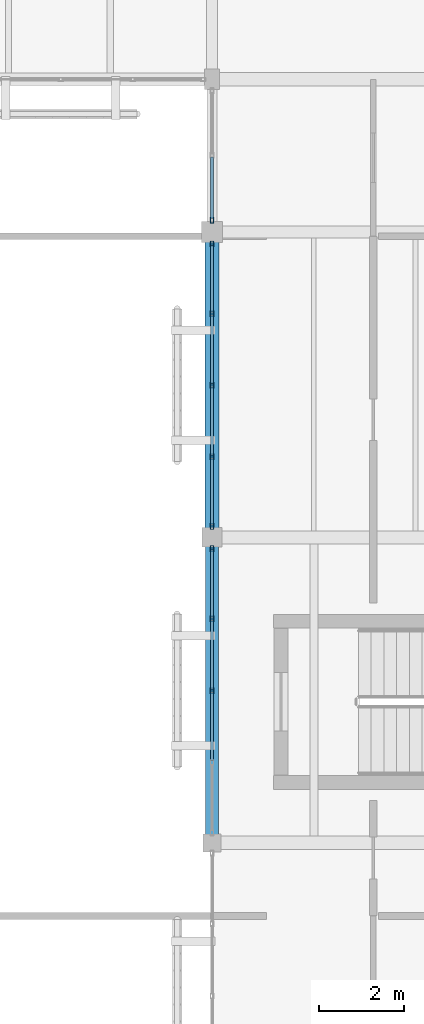
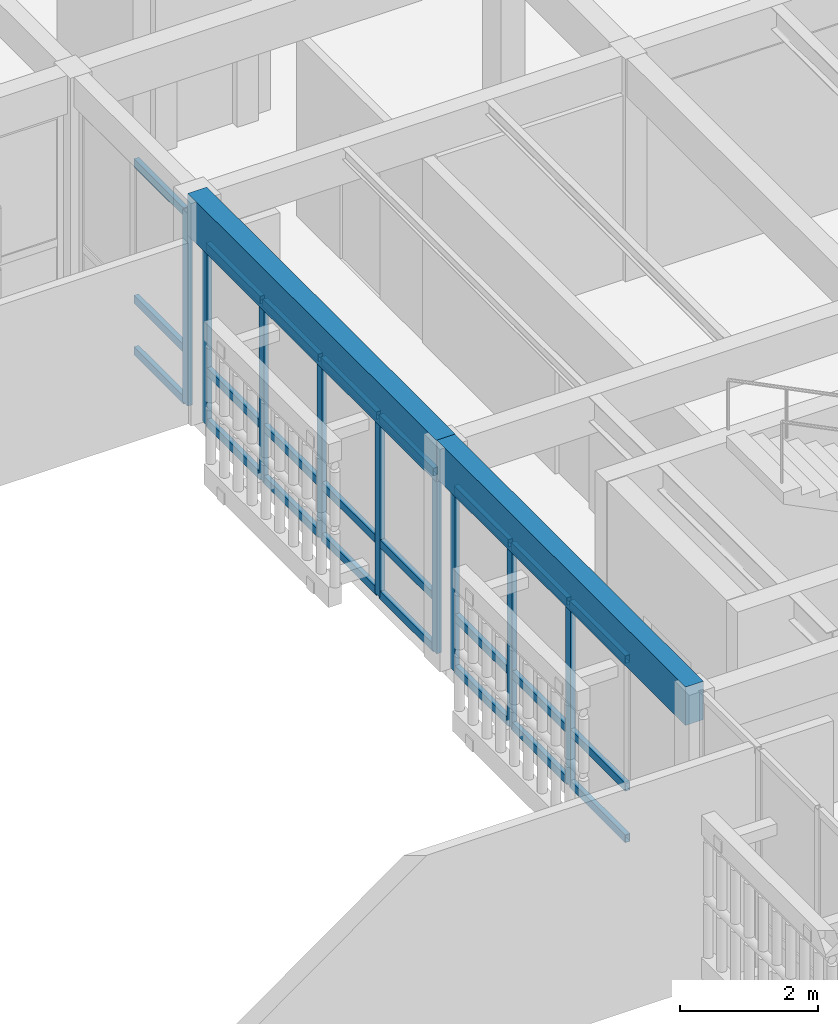
# One storey, part 60 of 112: 33 members, 2 beams, 3 elements without a shape of their own.
"""IFC4 building model written with IfcOpenShell, lengths in metres."""

from ifc_helpers import new_model, si_unit, direction, frame, origin, origin_2d, place, context, subcontext, project, spatial, rectangle, hollow_rectangle, extrude, material, layer, layer_set, material_profile, profile_set, type_object, element, aggregate, save


model = new_model("IFC4")

# Units and contexts
model_context = context("Model", 3, precision=1e-05, world=origin(), true_north=direction((0.0, 1.0)))
body_context = subcontext(model_context, "Body", "Model", "MODEL_VIEW")
ifc_project = project(units=[si_unit("LENGTHUNIT", "METRE"), si_unit("AREAUNIT", "SQUARE_METRE"), si_unit("VOLUMEUNIT", "CUBIC_METRE"), si_unit("PLANEANGLEUNIT", "RADIAN"), si_unit("MASSUNIT", "GRAM", prefix="KILO")], contexts=[model_context])

# Site, building, storey
site_placement = place(None, origin())
site = spatial("IfcSite", under=ifc_project, at=site_placement, CompositionType="ELEMENT")
building_placement = place(site_placement, origin())
building = spatial("IfcBuilding", under=site, at=building_placement, Name="Mazaris Harbour Polytechnic", CompositionType="ELEMENT")
storey_placement = place(building_placement, frame((0.0, 0.0, 13.800048828125)))
storey = spatial("IfcBuildingStorey", under=building, at=storey_placement, Name="L03", CompositionType="ELEMENT", Elevation=13.800048828125)

# Curtain wall, members
ifc_material_1 = material(Name="Anodised Bronze Aluminium and Low-E Glass", Category="aluminium")
ifc_layer = layer(ifc_material_1, 0.169921875, Name="Anodised Bronze Aluminium and Low-E Glass")
ifc_layer_set = layer_set([ifc_layer], Name="Anodised Bronze Aluminium and Low-E Glass")
curtain_wall_type = type_object("IfcCurtainWallType", Name="Studio North-Light Curtain Wall", PredefinedType="NOTDEFINED", material=ifc_layer_set)
curtain_wall_1_placement = place(storey_placement, origin())
curtain_wall_1 = element("IfcCurtainWall", 1, at=curtain_wall_1_placement, inside=storey, type_object=curtain_wall_type, Name="V5 L03 Curtain Wall 268", PredefinedType="NOTDEFINED")
ifc_material_2 = material(Name="Anodised Bronze Steel S355", Category="steel")
ifc_material_profile_1 = material_profile(ifc_material_2, hollow_rectangle(XDim=0.080078125, YDim=0.139892578125, WallThickness=0.00634765625, at=origin_2d()), Name="RHS 80x140x6.3")
ifc_profile_set_1 = profile_set([ifc_material_profile_1], Name="Anodised Bronze Steel S355")
member_type_1 = type_object("IfcMemberType", Name="Curtain Mullion RHS80x140", PredefinedType="MULLION", material=ifc_profile_set_1)
member_1_placement = place(storey_placement, frame((158.39990234375, 75.337890625, 0.0), z_axis=(0.0, 0.0, 1.0), x_axis=(1.0, 0.0, 0.0)))
member_1 = element("IfcMember", 2, at=member_1_placement, type_object=member_type_1, Name="CW-03 mullion 1", PredefinedType="MULLION", context=body_context, shape_type="SweptSolid", body=[
    extrude(hollow_rectangle(XDim=0.080078125, YDim=0.139892578125, WallThickness=0.00634765625, at=origin_2d()), origin(), (0.0, 0.0, 1.0), 3.244873046875),
])
member_2_placement = place(storey_placement, frame((158.39990234375, 73.68408203125, 0.0), z_axis=(0.0, 0.0, 1.0), x_axis=(1.0, 0.0, 0.0)))
member_2 = element("IfcMember", 3, at=member_2_placement, type_object=member_type_1, Name="CW-03 mullion 2", PredefinedType="MULLION", context=body_context, shape_type="SweptSolid", body=[
    extrude(hollow_rectangle(XDim=0.080078125, YDim=0.139892578125, WallThickness=0.00634765625, at=origin_2d()), origin(), (0.0, 0.0, 1.0), 3.244873046875),
])
member_3_placement = place(storey_placement, frame((158.39990234375, 71.989990234375, 0.0), z_axis=(0.0, 0.0, 1.0), x_axis=(1.0, 0.0, 0.0)))
member_3 = element("IfcMember", 4, at=member_3_placement, type_object=member_type_1, Name="CW-03 mullion 3", PredefinedType="MULLION", context=body_context, shape_type="SweptSolid", body=[
    extrude(hollow_rectangle(XDim=0.080078125, YDim=0.139892578125, WallThickness=0.00634765625, at=origin_2d()), origin(), (0.0, 0.0, 1.0), 3.244873046875),
])

curtain_wall_2_placement = place(storey_placement, origin())
curtain_wall_2 = element("IfcCurtainWall", 5, at=curtain_wall_2_placement, inside=storey, type_object=curtain_wall_type, Name="V5 L03 Curtain Wall 269", PredefinedType="NOTDEFINED")
member_4_placement = place(storey_placement, frame((158.39990234375, 82.51806640625, 0.0), z_axis=(0.0, 0.0, 1.0), x_axis=(1.0, 0.0, 0.0)))
member_4 = element("IfcMember", 6, at=member_4_placement, type_object=member_type_1, Name="CW-03 mullion 1", PredefinedType="MULLION", context=body_context, shape_type="SweptSolid", body=[
    extrude(hollow_rectangle(XDim=0.080078125, YDim=0.139892578125, WallThickness=0.00634765625, at=origin_2d()), origin(), (0.0, 0.0, 1.0), 3.18505859375),
])
member_5_placement = place(storey_placement, frame((158.39990234375, 80.8740234375, 0.0), z_axis=(0.0, 0.0, 1.0), x_axis=(1.0, 0.0, 0.0)))
member_5 = element("IfcMember", 7, at=member_5_placement, type_object=member_type_1, Name="CW-03 mullion 2", PredefinedType="MULLION", context=body_context, shape_type="SweptSolid", body=[
    extrude(hollow_rectangle(XDim=0.080078125, YDim=0.139892578125, WallThickness=0.00634765625, at=origin_2d()), origin(), (0.0, 0.0, 1.0), 3.18505859375),
])
member_6_placement = place(storey_placement, frame((158.39990234375, 79.18994140625, 0.0), z_axis=(0.0, 0.0, 1.0), x_axis=(1.0, 0.0, 0.0)))
member_6 = element("IfcMember", 8, at=member_6_placement, type_object=member_type_1, Name="CW-03 mullion 3", PredefinedType="MULLION", context=body_context, shape_type="SweptSolid", body=[
    extrude(hollow_rectangle(XDim=0.080078125, YDim=0.139892578125, WallThickness=0.00634765625, at=origin_2d()), origin(), (0.0, 0.0, 1.0), 3.18505859375),
])
member_7_placement = place(storey_placement, frame((158.39990234375, 77.506103515625, 0.0), z_axis=(0.0, 0.0, 1.0), x_axis=(1.0, 0.0, 0.0)))
member_7 = element("IfcMember", 9, at=member_7_placement, type_object=member_type_1, Name="CW-03 mullion 4", PredefinedType="MULLION", context=body_context, shape_type="SweptSolid", body=[
    extrude(hollow_rectangle(XDim=0.080078125, YDim=0.139892578125, WallThickness=0.00634765625, at=origin_2d()), origin(), (0.0, 0.0, 1.0), 3.18505859375),
])
member_8_placement = place(storey_placement, frame((158.39990234375, 75.862060546875, 0.0), z_axis=(0.0, 0.0, 1.0), x_axis=(1.0, 0.0, 0.0)))
member_8 = element("IfcMember", 10, at=member_8_placement, type_object=member_type_1, Name="CW-03 mullion 5", PredefinedType="MULLION", context=body_context, shape_type="SweptSolid", body=[
    extrude(hollow_rectangle(XDim=0.080078125, YDim=0.139892578125, WallThickness=0.00634765625, at=origin_2d()), origin(), (0.0, 0.0, 1.0), 3.18505859375),
])

# Curtain wall, member
curtain_wall_3_placement = place(storey_placement, origin())
curtain_wall_3 = element("IfcCurtainWall", 11, at=curtain_wall_3_placement, inside=storey, type_object=curtain_wall_type, Name="V5 L03 Curtain Wall 270", PredefinedType="NOTDEFINED")
member_9_placement = place(storey_placement, frame((158.39990234375, 83.08203125, 0.0), z_axis=(0.0, 0.0, 1.0), x_axis=(1.0, 0.0, 0.0)))
member_9 = element("IfcMember", 12, at=member_9_placement, type_object=member_type_1, Name="CW-03 mullion 3", PredefinedType="MULLION", context=body_context, shape_type="SweptSolid", body=[
    extrude(hollow_rectangle(XDim=0.080078125, YDim=0.139892578125, WallThickness=0.00634765625, at=origin_2d()), origin(), (0.0, 0.0, 1.0), 3.405029296875),
])

# Member
ifc_material_3 = material(Name="Anodised Bronze Steel S355", Category="steel")
ifc_material_profile_2 = material_profile(ifc_material_3, hollow_rectangle(XDim=0.080078125, YDim=0.139892578125, WallThickness=0.00634765625, at=origin_2d()), Name="RHS 80x140x6.3")
ifc_profile_set_2 = profile_set([ifc_material_profile_2], Name="Anodised Bronze Steel S355")
member_type_2 = type_object("IfcMemberType", Name="Curtain Transom RHS80x140", PredefinedType="USERDEFINED", material=ifc_profile_set_2)
member_10_placement = place(storey_placement, frame((158.39990234375, 75.298095703125, 0.0400390625), z_axis=(0.0, -1.0, 0.0), x_axis=(1.0, 0.0, 0.0)))
member_10 = element("IfcMember", 13, at=member_10_placement, type_object=member_type_2, Name="CW-03 transom 1.1", ObjectType="TRANSOM", PredefinedType="USERDEFINED", context=body_context, shape_type="SweptSolid", body=[
    extrude(hollow_rectangle(XDim=0.080078125, YDim=0.139892578125, WallThickness=0.00634765625, at=origin_2d()), origin(), (0.0, 0.0, 1.0), 1.573974609375),
])

member_11_placement = place(storey_placement, frame((158.39990234375, 75.298095703125, 0.949951171875), z_axis=(0.0, -1.0, 0.0), x_axis=(1.0, 0.0, 0.0)))
member_11 = element("IfcMember", 14, at=member_11_placement, type_object=member_type_2, Name="CW-03 transom 1.2", ObjectType="TRANSOM", PredefinedType="USERDEFINED", context=body_context, shape_type="SweptSolid", body=[
    extrude(hollow_rectangle(XDim=0.080078125, YDim=0.139892578125, WallThickness=0.00634765625, at=origin_2d()), origin(), (0.0, 0.0, 1.0), 1.573974609375),
])

member_12_placement = place(storey_placement, frame((158.39990234375, 75.298095703125, 3.204833984375), z_axis=(0.0, -1.0, 0.0), x_axis=(1.0, 0.0, 0.0)))
member_12 = element("IfcMember", 15, at=member_12_placement, type_object=member_type_2, Name="CW-03 transom 1.3", ObjectType="TRANSOM", PredefinedType="USERDEFINED", context=body_context, shape_type="SweptSolid", body=[
    extrude(hollow_rectangle(XDim=0.080078125, YDim=0.139892578125, WallThickness=0.00634765625, at=origin_2d()), origin(), (0.0, 0.0, 1.0), 1.573974609375),
])

member_13_placement = place(storey_placement, frame((158.39990234375, 73.64404296875, 0.0400390625), z_axis=(0.0, -1.0, 0.0), x_axis=(1.0, 0.0, 0.0)))
member_13 = element("IfcMember", 16, at=member_13_placement, type_object=member_type_2, Name="CW-03 transom 2.1", ObjectType="TRANSOM", PredefinedType="USERDEFINED", context=body_context, shape_type="SweptSolid", body=[
    extrude(hollow_rectangle(XDim=0.080078125, YDim=0.139892578125, WallThickness=0.00634765625, at=origin_2d()), origin(), (0.0, 0.0, 1.0), 1.614013671875),
])

member_14_placement = place(storey_placement, frame((158.39990234375, 73.64404296875, 0.949951171875), z_axis=(0.0, -1.0, 0.0), x_axis=(1.0, 0.0, 0.0)))
member_14 = element("IfcMember", 17, at=member_14_placement, type_object=member_type_2, Name="CW-03 transom 2.2", ObjectType="TRANSOM", PredefinedType="USERDEFINED", context=body_context, shape_type="SweptSolid", body=[
    extrude(hollow_rectangle(XDim=0.080078125, YDim=0.139892578125, WallThickness=0.00634765625, at=origin_2d()), origin(), (0.0, 0.0, 1.0), 1.614013671875),
])

member_15_placement = place(storey_placement, frame((158.39990234375, 73.64404296875, 3.204833984375), z_axis=(0.0, -1.0, 0.0), x_axis=(1.0, 0.0, 0.0)))
member_15 = element("IfcMember", 18, at=member_15_placement, type_object=member_type_2, Name="CW-03 transom 2.3", ObjectType="TRANSOM", PredefinedType="USERDEFINED", context=body_context, shape_type="SweptSolid", body=[
    extrude(hollow_rectangle(XDim=0.080078125, YDim=0.139892578125, WallThickness=0.00634765625, at=origin_2d()), origin(), (0.0, 0.0, 1.0), 1.614013671875),
])

member_16_placement = place(storey_placement, frame((158.39990234375, 71.949951171875, 0.0400390625), z_axis=(0.0, -1.0, 0.0), x_axis=(1.0, 0.0, 0.0)))
member_16 = element("IfcMember", 19, at=member_16_placement, type_object=member_type_2, Name="CW-03 transom 3.1", ObjectType="TRANSOM", PredefinedType="USERDEFINED", context=body_context, shape_type="SweptSolid", body=[
    extrude(hollow_rectangle(XDim=0.080078125, YDim=0.139892578125, WallThickness=0.00634765625, at=origin_2d()), origin(), (0.0, 0.0, 1.0), 1.614013671875),
])

member_17_placement = place(storey_placement, frame((158.39990234375, 71.949951171875, 0.949951171875), z_axis=(0.0, -1.0, 0.0), x_axis=(1.0, 0.0, 0.0)))
member_17 = element("IfcMember", 20, at=member_17_placement, type_object=member_type_2, Name="CW-03 transom 3.2", ObjectType="TRANSOM", PredefinedType="USERDEFINED", context=body_context, shape_type="SweptSolid", body=[
    extrude(hollow_rectangle(XDim=0.080078125, YDim=0.139892578125, WallThickness=0.00634765625, at=origin_2d()), origin(), (0.0, 0.0, 1.0), 1.614013671875),
])

member_18_placement = place(storey_placement, frame((158.39990234375, 71.949951171875, 3.204833984375), z_axis=(0.0, -1.0, 0.0), x_axis=(1.0, 0.0, 0.0)))
member_18 = element("IfcMember", 21, at=member_18_placement, type_object=member_type_2, Name="CW-03 transom 3.3", ObjectType="TRANSOM", PredefinedType="USERDEFINED", context=body_context, shape_type="SweptSolid", body=[
    extrude(hollow_rectangle(XDim=0.080078125, YDim=0.139892578125, WallThickness=0.00634765625, at=origin_2d()), origin(), (0.0, 0.0, 1.0), 1.614013671875),
])

aggregate(curtain_wall_1, [member_1, member_2, member_3, member_10, member_11, member_12, member_13, member_14, member_15, member_16, member_17, member_18])

member_19_placement = place(storey_placement, frame((158.39990234375, 82.47802734375, 0.0400390625), z_axis=(0.0, -1.0, 0.0), x_axis=(1.0, 0.0, 0.0)))
member_19 = element("IfcMember", 22, at=member_19_placement, type_object=member_type_2, Name="CW-03 transom 1.1", ObjectType="TRANSOM", PredefinedType="USERDEFINED", context=body_context, shape_type="SweptSolid", body=[
    extrude(hollow_rectangle(XDim=0.080078125, YDim=0.139892578125, WallThickness=0.00634765625, at=origin_2d()), origin(), (0.0, 0.0, 1.0), 1.56396484375),
])

member_20_placement = place(storey_placement, frame((158.39990234375, 82.47802734375, 0.949951171875), z_axis=(0.0, -1.0, 0.0), x_axis=(1.0, 0.0, 0.0)))
member_20 = element("IfcMember", 23, at=member_20_placement, type_object=member_type_2, Name="CW-03 transom 1.2", ObjectType="TRANSOM", PredefinedType="USERDEFINED", context=body_context, shape_type="SweptSolid", body=[
    extrude(hollow_rectangle(XDim=0.080078125, YDim=0.139892578125, WallThickness=0.00634765625, at=origin_2d()), origin(), (0.0, 0.0, 1.0), 1.56396484375),
])

member_21_placement = place(storey_placement, frame((158.39990234375, 82.47802734375, 3.14501953125), z_axis=(0.0, -1.0, 0.0), x_axis=(1.0, 0.0, 0.0)))
member_21 = element("IfcMember", 24, at=member_21_placement, type_object=member_type_2, Name="CW-03 transom 1.3", ObjectType="TRANSOM", PredefinedType="USERDEFINED", context=body_context, shape_type="SweptSolid", body=[
    extrude(hollow_rectangle(XDim=0.080078125, YDim=0.139892578125, WallThickness=0.00634765625, at=origin_2d()), origin(), (0.0, 0.0, 1.0), 1.56396484375),
])

member_22_placement = place(storey_placement, frame((158.39990234375, 80.833984375, 0.0400390625), z_axis=(0.0, -1.0, 0.0), x_axis=(1.0, 0.0, 0.0)))
member_22 = element("IfcMember", 25, at=member_22_placement, type_object=member_type_2, Name="CW-03 transom 2.1", ObjectType="TRANSOM", PredefinedType="USERDEFINED", context=body_context, shape_type="SweptSolid", body=[
    extrude(hollow_rectangle(XDim=0.080078125, YDim=0.139892578125, WallThickness=0.00634765625, at=origin_2d()), origin(), (0.0, 0.0, 1.0), 1.60400390625),
])

member_23_placement = place(storey_placement, frame((158.39990234375, 80.833984375, 0.949951171875), z_axis=(0.0, -1.0, 0.0), x_axis=(1.0, 0.0, 0.0)))
member_23 = element("IfcMember", 26, at=member_23_placement, type_object=member_type_2, Name="CW-03 transom 2.2", ObjectType="TRANSOM", PredefinedType="USERDEFINED", context=body_context, shape_type="SweptSolid", body=[
    extrude(hollow_rectangle(XDim=0.080078125, YDim=0.139892578125, WallThickness=0.00634765625, at=origin_2d()), origin(), (0.0, 0.0, 1.0), 1.60400390625),
])

member_24_placement = place(storey_placement, frame((158.39990234375, 80.833984375, 3.14501953125), z_axis=(0.0, -1.0, 0.0), x_axis=(1.0, 0.0, 0.0)))
member_24 = element("IfcMember", 27, at=member_24_placement, type_object=member_type_2, Name="CW-03 transom 2.3", ObjectType="TRANSOM", PredefinedType="USERDEFINED", context=body_context, shape_type="SweptSolid", body=[
    extrude(hollow_rectangle(XDim=0.080078125, YDim=0.139892578125, WallThickness=0.00634765625, at=origin_2d()), origin(), (0.0, 0.0, 1.0), 1.60400390625),
])

member_25_placement = place(storey_placement, frame((158.39990234375, 79.14990234375, 0.0400390625), z_axis=(0.0, -1.0, 0.0), x_axis=(1.0, 0.0, 0.0)))
member_25 = element("IfcMember", 28, at=member_25_placement, type_object=member_type_2, Name="CW-03 transom 3.1", ObjectType="TRANSOM", PredefinedType="USERDEFINED", context=body_context, shape_type="SweptSolid", body=[
    extrude(hollow_rectangle(XDim=0.080078125, YDim=0.139892578125, WallThickness=0.00634765625, at=origin_2d()), origin(), (0.0, 0.0, 1.0), 1.60400390625),
])

member_26_placement = place(storey_placement, frame((158.39990234375, 79.14990234375, 0.949951171875), z_axis=(0.0, -1.0, 0.0), x_axis=(1.0, 0.0, 0.0)))
member_26 = element("IfcMember", 29, at=member_26_placement, type_object=member_type_2, Name="CW-03 transom 3.2", ObjectType="TRANSOM", PredefinedType="USERDEFINED", context=body_context, shape_type="SweptSolid", body=[
    extrude(hollow_rectangle(XDim=0.080078125, YDim=0.139892578125, WallThickness=0.00634765625, at=origin_2d()), origin(), (0.0, 0.0, 1.0), 1.60400390625),
])

member_27_placement = place(storey_placement, frame((158.39990234375, 79.14990234375, 3.14501953125), z_axis=(0.0, -1.0, 0.0), x_axis=(1.0, 0.0, 0.0)))
member_27 = element("IfcMember", 30, at=member_27_placement, type_object=member_type_2, Name="CW-03 transom 3.3", ObjectType="TRANSOM", PredefinedType="USERDEFINED", context=body_context, shape_type="SweptSolid", body=[
    extrude(hollow_rectangle(XDim=0.080078125, YDim=0.139892578125, WallThickness=0.00634765625, at=origin_2d()), origin(), (0.0, 0.0, 1.0), 1.60400390625),
])

member_28_placement = place(storey_placement, frame((158.39990234375, 77.466064453125, 0.0400390625), z_axis=(0.0, -1.0, 0.0), x_axis=(1.0, 0.0, 0.0)))
member_28 = element("IfcMember", 31, at=member_28_placement, type_object=member_type_2, Name="CW-03 transom 4.1", ObjectType="TRANSOM", PredefinedType="USERDEFINED", context=body_context, shape_type="SweptSolid", body=[
    extrude(hollow_rectangle(XDim=0.080078125, YDim=0.139892578125, WallThickness=0.00634765625, at=origin_2d()), origin(), (0.0, 0.0, 1.0), 1.56396484375),
])

member_29_placement = place(storey_placement, frame((158.39990234375, 77.466064453125, 0.949951171875), z_axis=(0.0, -1.0, 0.0), x_axis=(1.0, 0.0, 0.0)))
member_29 = element("IfcMember", 32, at=member_29_placement, type_object=member_type_2, Name="CW-03 transom 4.2", ObjectType="TRANSOM", PredefinedType="USERDEFINED", context=body_context, shape_type="SweptSolid", body=[
    extrude(hollow_rectangle(XDim=0.080078125, YDim=0.139892578125, WallThickness=0.00634765625, at=origin_2d()), origin(), (0.0, 0.0, 1.0), 1.56396484375),
])

member_30_placement = place(storey_placement, frame((158.39990234375, 77.466064453125, 3.14501953125), z_axis=(0.0, -1.0, 0.0), x_axis=(1.0, 0.0, 0.0)))
member_30 = element("IfcMember", 33, at=member_30_placement, type_object=member_type_2, Name="CW-03 transom 4.3", ObjectType="TRANSOM", PredefinedType="USERDEFINED", context=body_context, shape_type="SweptSolid", body=[
    extrude(hollow_rectangle(XDim=0.080078125, YDim=0.139892578125, WallThickness=0.00634765625, at=origin_2d()), origin(), (0.0, 0.0, 1.0), 1.56396484375),
])

aggregate(curtain_wall_2, [member_4, member_5, member_6, member_7, member_8, member_19, member_20, member_21, member_22, member_23, member_24, member_25, member_26, member_27, member_28, member_29, member_30])

member_31_placement = place(storey_placement, frame((158.39990234375, 84.56494140625, 0.0400390625), z_axis=(0.0, -1.0, 0.0), x_axis=(1.0, 0.0, 0.0)))
member_31 = element("IfcMember", 34, at=member_31_placement, type_object=member_type_2, Name="CW-03 transom 2.1", ObjectType="TRANSOM", PredefinedType="USERDEFINED", context=body_context, shape_type="SweptSolid", body=[
    extrude(hollow_rectangle(XDim=0.080078125, YDim=0.139892578125, WallThickness=0.00634765625, at=origin_2d()), origin(), (0.0, 0.0, 1.0), 1.44287109375),
])

member_32_placement = place(storey_placement, frame((158.39990234375, 84.56494140625, 0.949951171875), z_axis=(0.0, -1.0, 0.0), x_axis=(1.0, 0.0, 0.0)))
member_32 = element("IfcMember", 35, at=member_32_placement, type_object=member_type_2, Name="CW-03 transom 2.2", ObjectType="TRANSOM", PredefinedType="USERDEFINED", context=body_context, shape_type="SweptSolid", body=[
    extrude(hollow_rectangle(XDim=0.080078125, YDim=0.139892578125, WallThickness=0.00634765625, at=origin_2d()), origin(), (0.0, 0.0, 1.0), 1.44287109375),
])

member_33_placement = place(storey_placement, frame((158.39990234375, 84.56494140625, 3.364990234375), z_axis=(0.0, -1.0, 0.0), x_axis=(1.0, 0.0, 0.0)))
member_33 = element("IfcMember", 36, at=member_33_placement, type_object=member_type_2, Name="CW-03 transom 2.3", ObjectType="TRANSOM", PredefinedType="USERDEFINED", context=body_context, shape_type="SweptSolid", body=[
    extrude(hollow_rectangle(XDim=0.080078125, YDim=0.139892578125, WallThickness=0.00634765625, at=origin_2d()), origin(), (0.0, 0.0, 1.0), 1.44287109375),
])

aggregate(curtain_wall_3, [member_9, member_31, member_32, member_33])

# Beams
ifc_material_4 = material(Name="Glulam GL32h", Category="wood")
ifc_material_profile_3 = material_profile(ifc_material_4, rectangle(XDim=0.300048828125, YDim=0.679931640625, at=origin_2d()), Name="RECT300x680")
ifc_profile_set_3 = profile_set([ifc_material_profile_3], Name="Glulam GL32h")
beam_type_1 = type_object("IfcBeamType", Name="Glulam Girder 300x680", PredefinedType="BEAM", material=ifc_profile_set_3)
beam_1_placement = place(storey_placement, frame((158.39990234375, 68.39990234375, 3.594970703125), z_axis=(0.0, 1.0, 0.0), x_axis=(-1.0, 0.0, 0.0)))
element("IfcBeam", 37, at=beam_1_placement, inside=storey, type_object=beam_type_1, Name="V5 L03 Tie Girder 3348", PredefinedType="BEAM", context=body_context, shape_type="SweptSolid", body=[
    extrude(rectangle(XDim=0.300048828125, YDim=0.679931640625, at=origin_2d()), origin(), (0.0, 0.0, 1.0), 7.2001953125),
])
ifc_material_5 = material(Name="Glulam GL32h", Category="wood")
ifc_material_profile_4 = material_profile(ifc_material_5, rectangle(XDim=0.320068359375, YDim=0.739990234375, at=origin_2d()), Name="RECT320x740")
ifc_profile_set_4 = profile_set([ifc_material_profile_4], Name="Glulam GL32h")
beam_type_2 = type_object("IfcBeamType", Name="Glulam Girder 320x740", PredefinedType="BEAM", material=ifc_profile_set_4)
beam_2_placement = place(storey_placement, frame((158.39990234375, 75.60009765625, 3.56494140625), z_axis=(0.0, 1.0, 0.0), x_axis=(-1.0, 0.0, 0.0)))
element("IfcBeam", 38, at=beam_2_placement, inside=storey, type_object=beam_type_2, Name="V5 L03 Tie Girder 3349", PredefinedType="BEAM", context=body_context, shape_type="SweptSolid", body=[
    extrude(rectangle(XDim=0.320068359375, YDim=0.739990234375, at=origin_2d()), origin(), (0.0, 0.0, 1.0), 7.199951171875),
])

save(model, "model.ifc")
